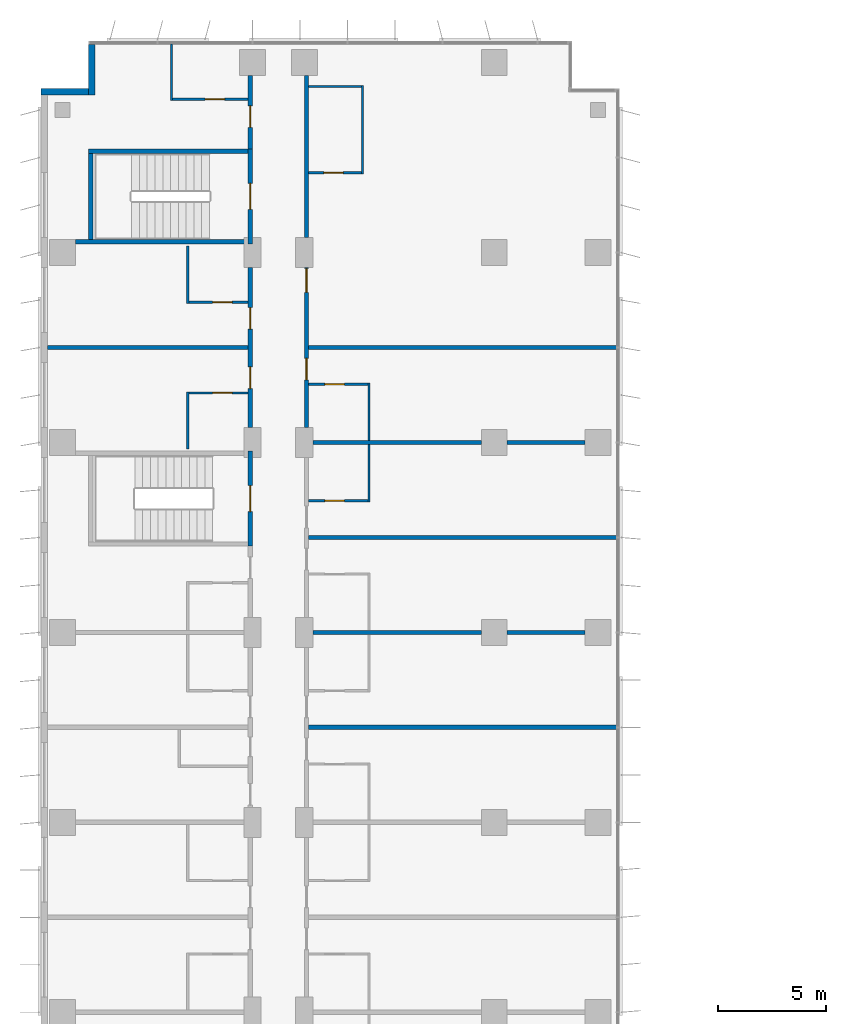
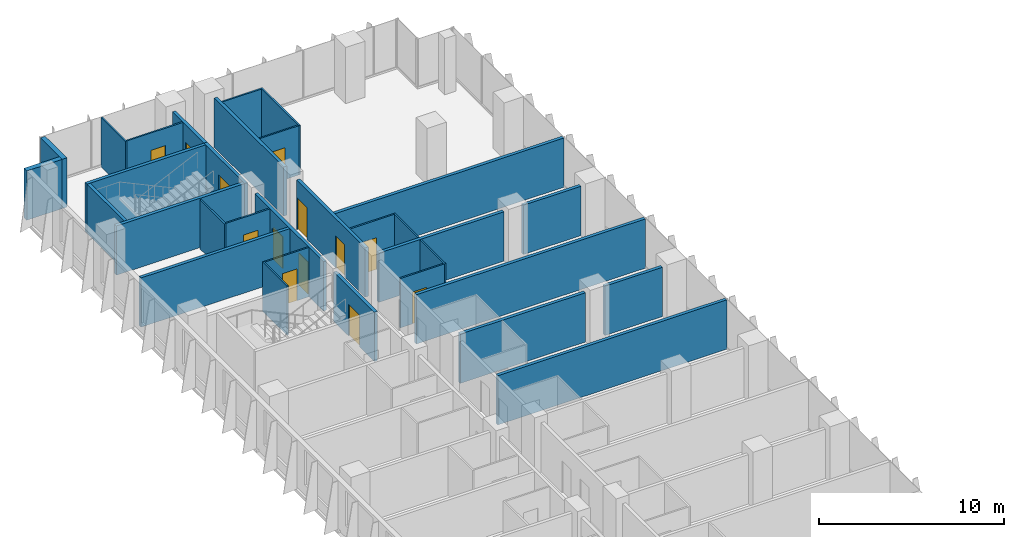
# One storey, part 17 of 22: 32 walls, 13 doors, 13 openings.
"""IFC4 building model written with IfcOpenShell, lengths in metres."""

from ifc_helpers import new_model, si_unit, direction, frame, frame_2d, origin, place, context, subcontext, project, spatial, rectangle, extrude, material, layer, layer_set, type_object, element, fill, save


model = new_model("IFC4")

# Units and contexts
model_context = context("Model", 3, precision=1e-05, world=origin(), true_north=direction((0.0, 1.0)))
body_context = subcontext(model_context, "Body", "Model", "MODEL_VIEW")
ifc_project = project(units=[si_unit("LENGTHUNIT", "METRE"), si_unit("AREAUNIT", "SQUARE_METRE"), si_unit("VOLUMEUNIT", "CUBIC_METRE"), si_unit("PLANEANGLEUNIT", "RADIAN"), si_unit("MASSUNIT", "GRAM", prefix="KILO")], contexts=[model_context])

# Site, building, storey
site_placement = place(None, origin())
site = spatial("IfcSite", under=ifc_project, at=site_placement, CompositionType="ELEMENT")
building_placement = place(site_placement, origin())
building = spatial("IfcBuilding", under=site, at=building_placement, Name="Kemantara Hotel Tower", CompositionType="ELEMENT")
storey_placement = place(building_placement, frame((0.0, 0.0, 129.60009765625)))
storey = spatial("IfcBuildingStorey", under=building, at=storey_placement, Name="L31", CompositionType="ELEMENT", Elevation=129.60009765625)

# Walls
ifc_material_1 = material(Name="Bronze anodised aluminium cladding on insulated steel stud wall", Category="steel")
ifc_layer_1 = layer(ifc_material_1, 0.300048828125)
ifc_layer_set_1 = layer_set([ifc_layer_1], Name="Bronze anodised aluminium cladding on insulated steel stud wall")
wall_type_1 = type_object("IfcWallType", Name="BRONZE METAL-CLAD EXTERNAL WALL 300", PredefinedType="STANDARD", material=ifc_layer_set_1)
wall_1_placement = place(storey_placement, frame((2.35009765625, 81.050048828125, 0.0), z_axis=(0.0, 0.0, 1.0), x_axis=(0.0, -1.0, 0.0)))
element("IfcWall", 1, at=wall_1_placement, inside=storey, type_object=wall_type_1, Name="EXTERNAL WALL L31 T2-R02", PredefinedType="STANDARD", context=body_context, shape_type="SweptSolid", body=[
    extrude(rectangle(XDim=2.35009765625, YDim=0.300048828125, at=frame_2d((1.175048828125, 0.0))), origin(), (0.0, 0.0, 1.0), 3.25),
])
wall_2_placement = place(storey_placement, frame((2.199951171875, 78.85009765625, 0.0), z_axis=(0.0, 0.0, 1.0), x_axis=(-1.0, 0.0, 0.0)))
element("IfcWall", 2, at=wall_2_placement, inside=storey, type_object=wall_type_1, Name="EXTERNAL WALL L31 T2-R03", PredefinedType="STANDARD", context=body_context, shape_type="SweptSolid", body=[
    extrude(rectangle(XDim=2.199951171875, YDim=0.300048828125, at=frame_2d((1.10009765625, 0.0))), origin(), (0.0, 0.0, 1.0), 3.25),
])

# Wall, openings, doors
ifc_material_2 = material(Name="Gypsum board partition, steel studs and mineral wool, 200 mm", Category="steel")
ifc_layer_2 = layer(ifc_material_2, 0.199951171875)
ifc_layer_set_2 = layer_set([ifc_layer_2], Name="Gypsum board partition, steel studs and mineral wool, 200 mm")
wall_type_2 = type_object("IfcWallType", Name="CORRIDOR WALL 200", PredefinedType="PARTITIONING", material=ifc_layer_set_2)
wall_3_placement = place(storey_placement, frame((9.699951171875, 63.300048828125, 0.0), z_axis=(0.0, 0.0, 1.0), x_axis=(0.0, 1.0, 0.0)))
wall_3 = element("IfcWall", 3, at=wall_3_placement, inside=storey, type_object=wall_type_2, Name="CORRIDOR WALL 200 022", PredefinedType="PARTITIONING", context=body_context, shape_type="SweptSolid", body=[
    extrude(rectangle(XDim=7.39990234375, YDim=0.199951171875, at=frame_2d((3.699951171875, 0.0))), origin(), (0.0, 0.0, 1.0), 3.25),
])
opening_1_placement = place(wall_3_placement, frame((1.7998046875, 0.0, 0.0)))
opening_1 = element("IfcOpeningElement", 4, at=opening_1_placement, cuts=wall_3, Name="Opening F14-037", PredefinedType="OPENING", context=body_context, shape_type="SweptSolid", body=[
    extrude(rectangle(XDim=1.0, YDim=2.10009765625, at=frame_2d((0.5, 1.050048828125))), frame((0.0, 0.10986328125, 0.0), z_axis=(0.0, -1.0, 0.0), x_axis=(1.0, 0.0, 0.0)), (0.0, 0.0, 1.0), 0.219970703125),
])
opening_2_placement = place(wall_3_placement, frame((4.5498046875, 0.0, 0.0)))
opening_2 = element("IfcOpeningElement", 5, at=opening_2_placement, cuts=wall_3, Name="Opening F14-039", PredefinedType="OPENING", context=body_context, shape_type="SweptSolid", body=[
    extrude(rectangle(XDim=1.0, YDim=2.10009765625, at=frame_2d((0.5, 1.050048828125))), frame((0.0, 0.10986328125, 0.0), z_axis=(0.0, -1.0, 0.0), x_axis=(1.0, 0.0, 0.0)), (0.0, 0.0, 1.0), 0.219970703125),
])
ifc_material_3 = material(Name="Hardwood veneer door leaf with steel frame", Category="steel")
door_type_1 = type_object("IfcDoorType", Name="GUEST ROOM DOOR 1000 X 2100 FD30S", OperationType="NOTDEFINED", PredefinedType="DOOR", material=ifc_material_3)
door_1_placement = place(opening_1_placement, origin())
door_1 = element("IfcDoor", 6, at=door_1_placement, inside=storey, type_object=door_type_1, Name="GUEST ROOM DOOR F14-037", OperationType="SINGLE_SWING_RIGHT", OverallHeight=2.10009765625, OverallWidth=1.0, PredefinedType="DOOR", context=body_context, shape_type="SweptSolid", body=[
    extrude(rectangle(XDim=1.0, YDim=2.10009765625, at=frame_2d((0.5, 1.050048828125))), frame((0.0, 0.02490234375, 0.0), z_axis=(0.0, -1.0, 0.0), x_axis=(1.0, 0.0, 0.0)), (0.0, 0.0, 1.0), 0.050048828125),
])
fill(opening_1, door_1)
door_2_placement = place(opening_2_placement, origin())
door_2 = element("IfcDoor", 7, at=door_2_placement, inside=storey, type_object=door_type_1, Name="GUEST ROOM DOOR F14-039", OperationType="SINGLE_SWING_LEFT", OverallHeight=2.10009765625, OverallWidth=1.0, PredefinedType="DOOR", context=body_context, shape_type="SweptSolid", body=[
    extrude(rectangle(XDim=1.0, YDim=2.10009765625, at=frame_2d((0.5, 1.050048828125))), frame((0.0, 0.02490234375, 0.0), z_axis=(0.0, -1.0, 0.0), x_axis=(1.0, 0.0, 0.0)), (0.0, 0.0, 1.0), 0.050048828125),
])
fill(opening_2, door_2)

# Wall, opening, door
wall_4_placement = place(storey_placement, frame((9.699951171875, 76.199951171875, 0.0), z_axis=(0.0, 0.0, 1.0), x_axis=(0.0, 1.0, 0.0)))
wall_4 = element("IfcWall", 8, at=wall_4_placement, inside=storey, type_object=wall_type_2, Name="CORRIDOR WALL 200 023", PredefinedType="PARTITIONING", context=body_context, shape_type="SweptSolid", body=[
    extrude(rectangle(XDim=3.39990234375, YDim=0.199951171875, at=frame_2d((1.699951171875, 0.0))), origin(), (0.0, 0.0, 1.0), 3.25),
])
opening_3_placement = place(wall_4_placement, frame((1.0, 0.0, 0.0)))
opening_3 = element("IfcOpeningElement", 9, at=opening_3_placement, cuts=wall_4, Name="Opening F14-041", PredefinedType="OPENING", context=body_context, shape_type="SweptSolid", body=[
    extrude(rectangle(XDim=1.0, YDim=2.10009765625, at=frame_2d((0.5, 1.050048828125))), frame((0.0, 0.10986328125, 0.0), z_axis=(0.0, -1.0, 0.0), x_axis=(1.0, 0.0, 0.0)), (0.0, 0.0, 1.0), 0.219970703125),
])
door_3_placement = place(opening_3_placement, origin())
door_3 = element("IfcDoor", 10, at=door_3_placement, inside=storey, type_object=door_type_1, Name="GUEST ROOM DOOR F14-041", OperationType="SINGLE_SWING_LEFT", OverallHeight=2.10009765625, OverallWidth=1.0, PredefinedType="DOOR", context=body_context, shape_type="SweptSolid", body=[
    extrude(rectangle(XDim=1.0, YDim=2.10009765625, at=frame_2d((0.5, 1.050048828125))), frame((0.0, 0.02490234375, 0.0), z_axis=(0.0, -1.0, 0.0), x_axis=(1.0, 0.0, 0.0)), (0.0, 0.0, 1.0), 0.050048828125),
])
fill(opening_3, door_3)

# Wall, openings, doors
wall_5_placement = place(storey_placement, frame((12.300048828125, 70.699951171875, 0.0), z_axis=(0.0, 0.0, 1.0), x_axis=(0.0, -1.0, 0.0)))
wall_5 = element("IfcWall", 11, at=wall_5_placement, inside=storey, type_object=wall_type_2, Name="CORRIDOR WALL 200 048", PredefinedType="PARTITIONING", context=body_context, shape_type="SweptSolid", body=[
    extrude(rectangle(XDim=7.39990234375, YDim=0.199951171875, at=frame_2d((3.699951171875, 0.0))), origin(), (0.0, 0.0, 1.0), 3.25),
])
opening_4_placement = place(wall_5_placement, frame((4.199951171875, 0.0, 0.0)))
opening_4 = element("IfcOpeningElement", 12, at=opening_4_placement, cuts=wall_5, Name="Opening F14-059", PredefinedType="OPENING", context=body_context, shape_type="SweptSolid", body=[
    extrude(rectangle(XDim=1.0, YDim=2.10009765625, at=frame_2d((0.5, 1.050048828125))), frame((0.0, 0.10986328125, 0.0), z_axis=(0.0, -1.0, 0.0), x_axis=(1.0, 0.0, 0.0)), (0.0, 0.0, 1.0), 0.219970703125),
])
opening_5_placement = place(wall_5_placement, frame((0.0498046875, 0.0, 0.0)))
opening_5 = element("IfcOpeningElement", 13, at=opening_5_placement, cuts=wall_5, Name="Opening F14-061", PredefinedType="OPENING", context=body_context, shape_type="SweptSolid", body=[
    extrude(rectangle(XDim=1.10009765625, YDim=2.10009765625, at=frame_2d((0.550048828125, 1.050048828125))), frame((0.0, 0.10986328125, 0.0), z_axis=(0.0, -1.0, 0.0), x_axis=(1.0, 0.0, 0.0)), (0.0, 0.0, 1.0), 0.219970703125),
])
door_4_placement = place(opening_4_placement, origin())
door_4 = element("IfcDoor", 14, at=door_4_placement, inside=storey, type_object=door_type_1, Name="GUEST ROOM DOOR F14-059", OperationType="SINGLE_SWING_LEFT", OverallHeight=2.10009765625, OverallWidth=1.0, PredefinedType="DOOR", context=body_context, shape_type="SweptSolid", body=[
    extrude(rectangle(XDim=1.0, YDim=2.10009765625, at=frame_2d((0.5, 1.050048828125))), frame((0.0, 0.02490234375, 0.0), z_axis=(0.0, -1.0, 0.0), x_axis=(1.0, 0.0, 0.0)), (0.0, 0.0, 1.0), 0.050048828125),
])
fill(opening_4, door_4)
door_type_2 = type_object("IfcDoorType", Name="SUITE ENTRANCE DOOR 1100 X 2100 FD30S", OperationType="NOTDEFINED", PredefinedType="DOOR", material=ifc_material_3)
door_5_placement = place(opening_5_placement, origin())
door_5 = element("IfcDoor", 15, at=door_5_placement, inside=storey, type_object=door_type_2, Name="SUITE ENTRANCE DOOR F14-061", OperationType="SINGLE_SWING_RIGHT", OverallHeight=2.10009765625, OverallWidth=1.10009765625, PredefinedType="DOOR", context=body_context, shape_type="SweptSolid", body=[
    extrude(rectangle(XDim=1.10009765625, YDim=2.10009765625, at=frame_2d((0.550048828125, 1.050048828125))), frame((0.0, 0.02490234375, 0.0), z_axis=(0.0, -1.0, 0.0), x_axis=(1.0, 0.0, 0.0)), (0.0, 0.0, 1.0), 0.050048828125),
])
fill(opening_5, door_5)

# Wall
wall_6_placement = place(storey_placement, frame((12.300048828125, 72.10009765625, 0.0), z_axis=(0.0, 0.0, 1.0), x_axis=(0.0, 1.0, 0.0)))
element("IfcWall", 16, at=wall_6_placement, inside=storey, type_object=wall_type_2, Name="CORRIDOR WALL 200 049", PredefinedType="PARTITIONING", context=body_context, shape_type="SweptSolid", body=[
    extrude(rectangle(XDim=7.499755859375, YDim=0.199951171875, at=frame_2d((3.75, 0.0))), origin(), (0.0, 0.0, 1.0), 3.25),
])

# Wall, opening, door
ifc_material_4 = material(Name="Concrete fc 40 MPa", Category="concrete")
ifc_layer_3 = layer(ifc_material_4, 0.199951171875)
ifc_layer_set_3 = layer_set([ifc_layer_3], Name="Concrete fc 40 MPa")
wall_type_3 = type_object("IfcWallType", Name="Concrete stair wall 200 mm", PredefinedType="SHEAR", material=ifc_layer_set_3)
wall_7_placement = place(storey_placement, frame((9.699951171875, 57.800048828125, 0.0), z_axis=(0.0, 0.0, 1.0), x_axis=(0.0, 1.0, 0.0)))
wall_7 = element("IfcWall", 17, at=wall_7_placement, inside=storey, type_object=wall_type_3, Name="Stair ST4 enclosure wall with door", PredefinedType="SHEAR", context=body_context, shape_type="SweptSolid", body=[
    extrude(rectangle(XDim=4.39990234375, YDim=0.199951171875, at=frame_2d((2.199951171875, 0.0))), origin(), (0.0, 0.0, 1.0), 3.25),
])
opening_6_placement = place(wall_7_placement, frame((1.60009765625, 0.0, 0.0)))
opening_6 = element("IfcOpeningElement", 18, at=opening_6_placement, cuts=wall_7, Name="Opening ST4-C", PredefinedType="OPENING", context=body_context, shape_type="SweptSolid", body=[
    extrude(rectangle(XDim=1.199951171875, YDim=2.10009765625, at=frame_2d((0.60009765625, 1.050048828125))), frame((0.0, 0.10986328125, 0.0), z_axis=(0.0, -1.0, 0.0), x_axis=(1.0, 0.0, 0.0)), (0.0, 0.0, 1.0), 0.219970703125),
])
ifc_material_5 = material(Name="Steel fire door", Category="steel")
door_type_3 = type_object("IfcDoorType", Name="Fire door FD90 1200 x 2100", OperationType="NOTDEFINED", PredefinedType="DOOR", material=ifc_material_5)
door_6_placement = place(opening_6_placement, origin())
door_6 = element("IfcDoor", 19, at=door_6_placement, inside=storey, type_object=door_type_3, Name="Stair ST4 door", OperationType="SINGLE_SWING_RIGHT", OverallHeight=2.10009765625, OverallWidth=1.199951171875, PredefinedType="DOOR", context=body_context, shape_type="SweptSolid", body=[
    extrude(rectangle(XDim=1.199951171875, YDim=2.10009765625, at=frame_2d((0.60009765625, 1.050048828125))), frame((0.0, 0.02490234375, 0.0), z_axis=(0.0, -1.0, 0.0), x_axis=(1.0, 0.0, 0.0)), (0.0, 0.0, 1.0), 0.050048828125),
])
fill(opening_6, door_6)

wall_8_placement = place(storey_placement, frame((9.699951171875, 71.800048828125, 0.0), z_axis=(0.0, 0.0, 1.0), x_axis=(0.0, 1.0, 0.0)))
wall_8 = element("IfcWall", 20, at=wall_8_placement, inside=storey, type_object=wall_type_3, Name="Stair ST6 enclosure wall with door", PredefinedType="SHEAR", context=body_context, shape_type="SweptSolid", body=[
    extrude(rectangle(XDim=4.39990234375, YDim=0.199951171875, at=frame_2d((2.199951171875, 0.0))), origin(), (0.0, 0.0, 1.0), 3.25),
])
opening_7_placement = place(wall_8_placement, frame((1.60009765625, 0.0, 0.0)))
opening_7 = element("IfcOpeningElement", 21, at=opening_7_placement, cuts=wall_8, Name="Opening ST6-C", PredefinedType="OPENING", context=body_context, shape_type="SweptSolid", body=[
    extrude(rectangle(XDim=1.199951171875, YDim=2.10009765625, at=frame_2d((0.60009765625, 1.050048828125))), frame((0.0, 0.10986328125, 0.0), z_axis=(0.0, -1.0, 0.0), x_axis=(1.0, 0.0, 0.0)), (0.0, 0.0, 1.0), 0.219970703125),
])
door_7_placement = place(opening_7_placement, origin())
door_7 = element("IfcDoor", 22, at=door_7_placement, inside=storey, type_object=door_type_3, Name="Stair ST6 door", OperationType="SINGLE_SWING_RIGHT", OverallHeight=2.10009765625, OverallWidth=1.199951171875, PredefinedType="DOOR", context=body_context, shape_type="SweptSolid", body=[
    extrude(rectangle(XDim=1.199951171875, YDim=2.10009765625, at=frame_2d((0.60009765625, 1.050048828125))), frame((0.0, 0.02490234375, 0.0), z_axis=(0.0, -1.0, 0.0), x_axis=(1.0, 0.0, 0.0)), (0.0, 0.0, 1.0), 0.050048828125),
])
fill(opening_7, door_7)

# Walls
wall_9_placement = place(storey_placement, frame((2.199951171875, 76.10009765625, 0.0), z_axis=(0.0, 0.0, 1.0), x_axis=(1.0, 0.0, 0.0)))
element("IfcWall", 23, at=wall_9_placement, inside=storey, type_object=wall_type_3, Name="Stair ST6 enclosure wall N", PredefinedType="SHEAR", context=body_context, shape_type="SweptSolid", body=[
    extrude(rectangle(XDim=7.400146484375, YDim=0.199951171875, at=frame_2d((3.7001953125, 0.0))), origin(), (0.0, 0.0, 1.0), 3.25),
])
wall_10_placement = place(storey_placement, frame((1.60009765625, 71.89990234375, 0.0), z_axis=(0.0, 0.0, 1.0), x_axis=(1.0, 0.0, 0.0)))
element("IfcWall", 24, at=wall_10_placement, inside=storey, type_object=wall_type_3, Name="Stair ST6 enclosure wall S", PredefinedType="SHEAR", context=body_context, shape_type="SweptSolid", body=[
    extrude(rectangle(XDim=8.0, YDim=0.199951171875, at=frame_2d((4.0, 0.0))), origin(), (0.0, 0.0, 1.0), 3.25),
])
wall_11_placement = place(storey_placement, frame((2.300048828125, 72.0, 0.0), z_axis=(0.0, 0.0, 1.0), x_axis=(0.0, 1.0, 0.0)))
element("IfcWall", 25, at=wall_11_placement, inside=storey, type_object=wall_type_3, Name="Stair ST6 enclosure wall W", PredefinedType="SHEAR", context=body_context, shape_type="SweptSolid", body=[
    extrude(rectangle(XDim=4.0, YDim=0.199951171875, at=frame_2d((2.0, 0.0))), origin(), (0.0, 0.0, 1.0), 3.25),
])
ifc_layer_4 = layer(ifc_material_2, 0.199951171875)
ifc_layer_set_4 = layer_set([ifc_layer_4], Name="Gypsum board partition, steel studs and mineral wool, 200 mm")
wall_type_4 = type_object("IfcWallType", Name="GUEST ROOM PARTY WALL 200", PredefinedType="PARTITIONING", material=ifc_layer_set_4)
wall_12_placement = place(storey_placement, frame((12.39990234375, 49.39990234375, 0.0), z_axis=(0.0, 0.0, 1.0), x_axis=(1.0, 0.0, 0.0)))
element("IfcWall", 26, at=wall_12_placement, inside=storey, type_object=wall_type_4, Name="GUEST ROOM PARTY WALL 200 037", PredefinedType="PARTITIONING", context=body_context, shape_type="SweptSolid", body=[
    extrude(rectangle(XDim=14.27001953125, YDim=0.199951171875, at=frame_2d((7.135009765625, 0.0))), origin(), (0.0, 0.0, 1.0), 3.25),
])
wall_13_placement = place(storey_placement, frame((12.60009765625, 53.800048828125, 0.0), z_axis=(0.0, 0.0, 1.0), x_axis=(1.0, 0.0, 0.0)))
element("IfcWall", 27, at=wall_13_placement, inside=storey, type_object=wall_type_4, Name="GUEST ROOM PARTY WALL 200 039", PredefinedType="PARTITIONING", context=body_context, shape_type="SweptSolid", body=[
    extrude(rectangle(XDim=7.7998046875, YDim=0.199951171875, at=frame_2d((3.89990234375, 0.0))), origin(), (0.0, 0.0, 1.0), 3.25),
])
wall_14_placement = place(storey_placement, frame((21.60009765625, 53.800048828125, 0.0), z_axis=(0.0, 0.0, 1.0), x_axis=(1.0, 0.0, 0.0)))
element("IfcWall", 28, at=wall_14_placement, inside=storey, type_object=wall_type_4, Name="GUEST ROOM PARTY WALL 200 040", PredefinedType="PARTITIONING", context=body_context, shape_type="SweptSolid", body=[
    extrude(rectangle(XDim=3.599853515625, YDim=0.199951171875, at=frame_2d((1.7998046875, 0.0))), origin(), (0.0, 0.0, 1.0), 3.25),
])
wall_15_placement = place(storey_placement, frame((0.31005859375, 67.0, 0.0), z_axis=(0.0, 0.0, 1.0), x_axis=(1.0, 0.0, 0.0)))
element("IfcWall", 29, at=wall_15_placement, inside=storey, type_object=wall_type_4, Name="GUEST ROOM PARTY WALL 200 041", PredefinedType="PARTITIONING", context=body_context, shape_type="SweptSolid", body=[
    extrude(rectangle(XDim=9.2900390625, YDim=0.199951171875, at=frame_2d((4.64501953125, 0.0))), origin(), (0.0, 0.0, 1.0), 3.25),
])
for number, where, z_axis, x_axis, name in (
    (30, (12.39990234375, 67.0, 0.0), (0.0, 0.0, 1.0), (1.0, 0.0, 0.0), "GUEST ROOM PARTY WALL 200 042"),
    (31, (12.39990234375, 58.199951171875, 0.0), (0.0, 0.0, 1.0), (1.0, 0.0, 0.0), "GUEST ROOM PARTY WALL 200 052"),
):
    element("IfcWall", number, at=place(storey_placement, frame(where, z_axis=z_axis, x_axis=x_axis)), inside=storey, type_object=wall_type_4, Name=name, PredefinedType="PARTITIONING", context=body_context, shape_type="SweptSolid", body=[
        extrude(rectangle(XDim=14.27001953125, YDim=0.199951171875, at=frame_2d((7.135009765625, 0.0))), origin(), (0.0, 0.0, 1.0), 3.25),
    ])
wall_16_placement = place(storey_placement, frame((12.60009765625, 62.60009765625, 0.0), z_axis=(0.0, 0.0, 1.0), x_axis=(1.0, 0.0, 0.0)))
element("IfcWall", 32, at=wall_16_placement, inside=storey, type_object=wall_type_4, Name="GUEST ROOM PARTY WALL 200 053", PredefinedType="PARTITIONING", context=body_context, shape_type="SweptSolid", body=[
    extrude(rectangle(XDim=7.7998046875, YDim=0.199951171875, at=frame_2d((3.89990234375, 0.0))), origin(), (0.0, 0.0, 1.0), 3.25),
])
wall_17_placement = place(storey_placement, frame((21.60009765625, 62.60009765625, 0.0), z_axis=(0.0, 0.0, 1.0), x_axis=(1.0, 0.0, 0.0)))
element("IfcWall", 33, at=wall_17_placement, inside=storey, type_object=wall_type_4, Name="GUEST ROOM PARTY WALL 200 054", PredefinedType="PARTITIONING", context=body_context, shape_type="SweptSolid", body=[
    extrude(rectangle(XDim=3.599853515625, YDim=0.199951171875, at=frame_2d((1.7998046875, 0.0))), origin(), (0.0, 0.0, 1.0), 3.25),
])
ifc_material_6 = material(Name="Gypsum board partition on steel studs, 100 mm", Category="steel")
ifc_layer_5 = layer(ifc_material_6, 0.10009765625)
ifc_layer_set_5 = layer_set([ifc_layer_5], Name="Gypsum board partition on steel studs, 100 mm")
wall_type_5 = type_object("IfcWallType", Name="ROOM PARTITION 100", PredefinedType="PARTITIONING", material=ifc_layer_set_5)
wall_18_placement = place(storey_placement, frame((6.050048828125, 78.449951171875, 0.0), z_axis=(0.0, 0.0, 1.0), x_axis=(0.0, 1.0, 0.0)))
element("IfcWall", 34, at=wall_18_placement, inside=storey, type_object=wall_type_5, Name="ROOM PARTITION 100 071", PredefinedType="PARTITIONING", context=body_context, shape_type="SweptSolid", body=[
    extrude(rectangle(XDim=2.6201171875, YDim=0.10009765625, at=frame_2d((1.31005859375, 0.0))), origin(), (0.0, 0.0, 1.0), 3.25),
])
for number, where, z_axis, x_axis, name in (
    (35, (6.800048828125, 62.300048828125, 0.0), (0.0, 0.0, 1.0), (0.0, 1.0, 0.0), "ROOM PARTITION 100 081"),
    (36, (6.800048828125, 69.050048828125, 0.0), (0.0, 0.0, 1.0), (0.0, 1.0, 0.0), "ROOM PARTITION 100 082"),
):
    element("IfcWall", number, at=place(storey_placement, frame(where, z_axis=z_axis, x_axis=x_axis)), inside=storey, type_object=wall_type_5, Name=name, PredefinedType="PARTITIONING", context=body_context, shape_type="SweptSolid", body=[
        extrude(rectangle(XDim=2.64990234375, YDim=0.10009765625, at=frame_2d((1.324951171875, 0.0))), origin(), (0.0, 0.0, 1.0), 3.25),
    ])

# Wall, opening, door
wall_19_placement = place(storey_placement, frame((9.60009765625, 64.89990234375, 0.0), z_axis=(0.0, 0.0, 1.0), x_axis=(-1.0, 0.0, 0.0)))
wall_19 = element("IfcWall", 37, at=wall_19_placement, inside=storey, type_object=wall_type_5, Name="ROOM PARTITION 100 097", PredefinedType="PARTITIONING", context=body_context, shape_type="SweptSolid", body=[
    extrude(rectangle(XDim=2.75, YDim=0.10009765625, at=frame_2d((1.375, 0.0))), origin(), (0.0, 0.0, 1.0), 3.25),
])
opening_8_placement = place(wall_19_placement, frame((0.75, 0.0, 0.0)))
opening_8 = element("IfcOpeningElement", 38, at=opening_8_placement, cuts=wall_19, Name="Opening F14-038", PredefinedType="OPENING", context=body_context, shape_type="SweptSolid", body=[
    extrude(rectangle(XDim=0.89990234375, YDim=2.10009765625, at=frame_2d((0.449951171875, 1.050048828125))), frame((0.0, 0.06005859375, 0.0), z_axis=(0.0, -1.0, 0.0), x_axis=(1.0, 0.0, 0.0)), (0.0, 0.0, 1.0), 0.1201171875),
])
door_type_4 = type_object("IfcDoorType", Name="BATHROOM DOOR 900 X 2100", OperationType="NOTDEFINED", PredefinedType="DOOR", material=ifc_material_3)
door_8_placement = place(opening_8_placement, origin())
door_8 = element("IfcDoor", 39, at=door_8_placement, inside=storey, type_object=door_type_4, Name="BATHROOM DOOR F14-038", OperationType="SINGLE_SWING_LEFT", OverallHeight=2.10009765625, OverallWidth=0.89990234375, PredefinedType="DOOR", context=body_context, shape_type="SweptSolid", body=[
    extrude(rectangle(XDim=0.89990234375, YDim=2.10009765625, at=frame_2d((0.449951171875, 1.050048828125))), frame((0.0, 0.02490234375, 0.0), z_axis=(0.0, -1.0, 0.0), x_axis=(1.0, 0.0, 0.0)), (0.0, 0.0, 1.0), 0.050048828125),
])
fill(opening_8, door_8)

wall_20_placement = place(storey_placement, frame((6.85009765625, 69.10009765625, 0.0), z_axis=(0.0, 0.0, 1.0), x_axis=(1.0, 0.0, 0.0)))
wall_20 = element("IfcWall", 40, at=wall_20_placement, inside=storey, type_object=wall_type_5, Name="ROOM PARTITION 100 098", PredefinedType="PARTITIONING", context=body_context, shape_type="SweptSolid", body=[
    extrude(rectangle(XDim=2.75, YDim=0.10009765625, at=frame_2d((1.375, 0.0))), origin(), (0.0, 0.0, 1.0), 3.25),
])
opening_9_placement = place(wall_20_placement, frame((1.10009765625, 0.0, 0.0)))
opening_9 = element("IfcOpeningElement", 41, at=opening_9_placement, cuts=wall_20, Name="Opening F14-040", PredefinedType="OPENING", context=body_context, shape_type="SweptSolid", body=[
    extrude(rectangle(XDim=0.89990234375, YDim=2.10009765625, at=frame_2d((0.449951171875, 1.050048828125))), frame((0.0, 0.06005859375, 0.0), z_axis=(0.0, -1.0, 0.0), x_axis=(1.0, 0.0, 0.0)), (0.0, 0.0, 1.0), 0.1201171875),
])
door_9_placement = place(opening_9_placement, origin())
door_9 = element("IfcDoor", 42, at=door_9_placement, inside=storey, type_object=door_type_4, Name="BATHROOM DOOR F14-040", OperationType="SINGLE_SWING_RIGHT", OverallHeight=2.10009765625, OverallWidth=0.89990234375, PredefinedType="DOOR", context=body_context, shape_type="SweptSolid", body=[
    extrude(rectangle(XDim=0.89990234375, YDim=2.10009765625, at=frame_2d((0.449951171875, 1.050048828125))), frame((0.0, 0.02490234375, 0.0), z_axis=(0.0, -1.0, 0.0), x_axis=(1.0, 0.0, 0.0)), (0.0, 0.0, 1.0), 0.050048828125),
])
fill(opening_9, door_9)

wall_21_placement = place(storey_placement, frame((6.10009765625, 78.5, 0.0), z_axis=(0.0, 0.0, 1.0), x_axis=(1.0, 0.0, 0.0)))
wall_21 = element("IfcWall", 43, at=wall_21_placement, inside=storey, type_object=wall_type_5, Name="ROOM PARTITION 100 099", PredefinedType="PARTITIONING", context=body_context, shape_type="SweptSolid", body=[
    extrude(rectangle(XDim=3.5, YDim=0.10009765625, at=frame_2d((1.75, 0.0))), origin(), (0.0, 0.0, 1.0), 3.25),
])
opening_10_placement = place(wall_21_placement, frame((1.5, 0.0, 0.0)))
opening_10 = element("IfcOpeningElement", 44, at=opening_10_placement, cuts=wall_21, Name="Opening F14-042", PredefinedType="OPENING", context=body_context, shape_type="SweptSolid", body=[
    extrude(rectangle(XDim=0.89990234375, YDim=2.10009765625, at=frame_2d((0.449951171875, 1.050048828125))), frame((0.0, 0.06005859375, 0.0), z_axis=(0.0, -1.0, 0.0), x_axis=(1.0, 0.0, 0.0)), (0.0, 0.0, 1.0), 0.1201171875),
])
door_10_placement = place(opening_10_placement, origin())
door_10 = element("IfcDoor", 45, at=door_10_placement, inside=storey, type_object=door_type_4, Name="BATHROOM DOOR F14-042", OperationType="SINGLE_SWING_RIGHT", OverallHeight=2.10009765625, OverallWidth=0.89990234375, PredefinedType="DOOR", context=body_context, shape_type="SweptSolid", body=[
    extrude(rectangle(XDim=0.89990234375, YDim=2.10009765625, at=frame_2d((0.449951171875, 1.050048828125))), frame((0.0, 0.02490234375, 0.0), z_axis=(0.0, -1.0, 0.0), x_axis=(1.0, 0.0, 0.0)), (0.0, 0.0, 1.0), 0.050048828125),
])
fill(opening_10, door_10)

# Walls
wall_22_placement = place(storey_placement, frame((15.199951171875, 59.85009765625, 0.0), z_axis=(0.0, 0.0, 1.0), x_axis=(0.0, 1.0, 0.0)))
element("IfcWall", 46, at=wall_22_placement, inside=storey, type_object=wall_type_5, Name="ROOM PARTITION 100 107", PredefinedType="PARTITIONING", context=body_context, shape_type="SweptSolid", body=[
    extrude(rectangle(XDim=2.64990234375, YDim=0.10009765625, at=frame_2d((1.324951171875, 0.0))), origin(), (0.0, 0.0, 1.0), 3.25),
])
wall_23_placement = place(storey_placement, frame((15.199951171875, 62.699951171875, 0.0), z_axis=(0.0, 0.0, 1.0), x_axis=(0.0, 1.0, 0.0)))
element("IfcWall", 47, at=wall_23_placement, inside=storey, type_object=wall_type_5, Name="ROOM PARTITION 100 108", PredefinedType="PARTITIONING", context=body_context, shape_type="SweptSolid", body=[
    extrude(rectangle(XDim=2.650146484375, YDim=0.10009765625, at=frame_2d((1.3251953125, 0.0))), origin(), (0.0, 0.0, 1.0), 3.25),
])

# Wall, opening, door
wall_24_placement = place(storey_placement, frame((12.39990234375, 59.89990234375, 0.0), z_axis=(0.0, 0.0, 1.0), x_axis=(1.0, 0.0, 0.0)))
wall_24 = element("IfcWall", 48, at=wall_24_placement, inside=storey, type_object=wall_type_5, Name="ROOM PARTITION 100 112", PredefinedType="PARTITIONING", context=body_context, shape_type="SweptSolid", body=[
    extrude(rectangle(XDim=2.75, YDim=0.10009765625, at=frame_2d((1.375, 0.0))), origin(), (0.0, 0.0, 1.0), 3.25),
])
opening_11_placement = place(wall_24_placement, frame((0.75, 0.0, 0.0)))
opening_11 = element("IfcOpeningElement", 49, at=opening_11_placement, cuts=wall_24, Name="Opening F14-058", PredefinedType="OPENING", context=body_context, shape_type="SweptSolid", body=[
    extrude(rectangle(XDim=0.89990234375, YDim=2.10009765625, at=frame_2d((0.449951171875, 1.050048828125))), frame((0.0, 0.06005859375, 0.0), z_axis=(0.0, -1.0, 0.0), x_axis=(1.0, 0.0, 0.0)), (0.0, 0.0, 1.0), 0.1201171875),
])
door_11_placement = place(opening_11_placement, origin())
door_11 = element("IfcDoor", 50, at=door_11_placement, inside=storey, type_object=door_type_4, Name="BATHROOM DOOR F14-058", OperationType="SINGLE_SWING_LEFT", OverallHeight=2.10009765625, OverallWidth=0.89990234375, PredefinedType="DOOR", context=body_context, shape_type="SweptSolid", body=[
    extrude(rectangle(XDim=0.89990234375, YDim=2.10009765625, at=frame_2d((0.449951171875, 1.050048828125))), frame((0.0, 0.02490234375, 0.0), z_axis=(0.0, -1.0, 0.0), x_axis=(1.0, 0.0, 0.0)), (0.0, 0.0, 1.0), 0.050048828125),
])
fill(opening_11, door_11)

wall_25_placement = place(storey_placement, frame((15.14990234375, 65.300048828125, 0.0), z_axis=(0.0, 0.0, 1.0), x_axis=(-1.0, 0.0, 0.0)))
wall_25 = element("IfcWall", 51, at=wall_25_placement, inside=storey, type_object=wall_type_5, Name="ROOM PARTITION 100 113", PredefinedType="PARTITIONING", context=body_context, shape_type="SweptSolid", body=[
    extrude(rectangle(XDim=2.75, YDim=0.10009765625, at=frame_2d((1.375, 0.0))), origin(), (0.0, 0.0, 1.0), 3.25),
])
opening_12_placement = place(wall_25_placement, frame((1.10009765625, 0.0, 0.0)))
opening_12 = element("IfcOpeningElement", 52, at=opening_12_placement, cuts=wall_25, Name="Opening F14-060", PredefinedType="OPENING", context=body_context, shape_type="SweptSolid", body=[
    extrude(rectangle(XDim=0.89990234375, YDim=2.10009765625, at=frame_2d((0.449951171875, 1.050048828125))), frame((0.0, 0.06005859375, 0.0), z_axis=(0.0, -1.0, 0.0), x_axis=(1.0, 0.0, 0.0)), (0.0, 0.0, 1.0), 0.1201171875),
])
door_12_placement = place(opening_12_placement, origin())
door_12 = element("IfcDoor", 53, at=door_12_placement, inside=storey, type_object=door_type_4, Name="BATHROOM DOOR F14-060", OperationType="SINGLE_SWING_RIGHT", OverallHeight=2.10009765625, OverallWidth=0.89990234375, PredefinedType="DOOR", context=body_context, shape_type="SweptSolid", body=[
    extrude(rectangle(XDim=0.89990234375, YDim=2.10009765625, at=frame_2d((0.449951171875, 1.050048828125))), frame((0.0, 0.02490234375, 0.0), z_axis=(0.0, -1.0, 0.0), x_axis=(1.0, 0.0, 0.0)), (0.0, 0.0, 1.0), 0.050048828125),
])
fill(opening_12, door_12)

# Wall
wall_26_placement = place(storey_placement, frame((14.89990234375, 75.050048828125, 0.0), z_axis=(0.0, 0.0, 1.0), x_axis=(0.0, 1.0, 0.0)))
element("IfcWall", 54, at=wall_26_placement, inside=storey, type_object=wall_type_5, Name="ROOM PARTITION 100 114", PredefinedType="PARTITIONING", context=body_context, shape_type="SweptSolid", body=[
    extrude(rectangle(XDim=4.099853515625, YDim=0.10009765625, at=frame_2d((2.0498046875, 0.0))), origin(), (0.0, 0.0, 1.0), 3.25),
])

# Wall, opening, door
wall_27_placement = place(storey_placement, frame((12.39990234375, 75.10009765625, 0.0), z_axis=(0.0, 0.0, 1.0), x_axis=(1.0, 0.0, 0.0)))
wall_27 = element("IfcWall", 55, at=wall_27_placement, inside=storey, type_object=wall_type_5, Name="ROOM PARTITION 100 115", PredefinedType="PARTITIONING", context=body_context, shape_type="SweptSolid", body=[
    extrude(rectangle(XDim=2.4501953125, YDim=0.10009765625, at=frame_2d((1.22509765625, 0.0))), origin(), (0.0, 0.0, 1.0), 3.25),
])
opening_13_placement = place(wall_27_placement, frame((0.699951171875, 0.0, 0.0)))
opening_13 = element("IfcOpeningElement", 56, at=opening_13_placement, cuts=wall_27, Name="Opening F14-062", PredefinedType="OPENING", context=body_context, shape_type="SweptSolid", body=[
    extrude(rectangle(XDim=0.89990234375, YDim=2.10009765625, at=frame_2d((0.449951171875, 1.050048828125))), frame((0.0, 0.06005859375, 0.0), z_axis=(0.0, -1.0, 0.0), x_axis=(1.0, 0.0, 0.0)), (0.0, 0.0, 1.0), 0.1201171875),
])
door_13_placement = place(opening_13_placement, origin())
door_13 = element("IfcDoor", 57, at=door_13_placement, inside=storey, type_object=door_type_4, Name="BATHROOM DOOR F14-062", OperationType="SINGLE_SWING_LEFT", OverallHeight=2.10009765625, OverallWidth=0.89990234375, PredefinedType="DOOR", context=body_context, shape_type="SweptSolid", body=[
    extrude(rectangle(XDim=0.89990234375, YDim=2.10009765625, at=frame_2d((0.449951171875, 1.050048828125))), frame((0.0, 0.02490234375, 0.0), z_axis=(0.0, -1.0, 0.0), x_axis=(1.0, 0.0, 0.0)), (0.0, 0.0, 1.0), 0.050048828125),
])
fill(opening_13, door_13)

# Wall
wall_28_placement = place(storey_placement, frame((12.39990234375, 79.10009765625, 0.0), z_axis=(0.0, 0.0, 1.0), x_axis=(1.0, 0.0, 0.0)))
element("IfcWall", 58, at=wall_28_placement, inside=storey, type_object=wall_type_5, Name="ROOM PARTITION 100 116", PredefinedType="PARTITIONING", context=body_context, shape_type="SweptSolid", body=[
    extrude(rectangle(XDim=2.4501953125, YDim=0.10009765625, at=frame_2d((1.22509765625, 0.0))), origin(), (0.0, 0.0, 1.0), 3.25),
])

save(model, "model.ifc")
